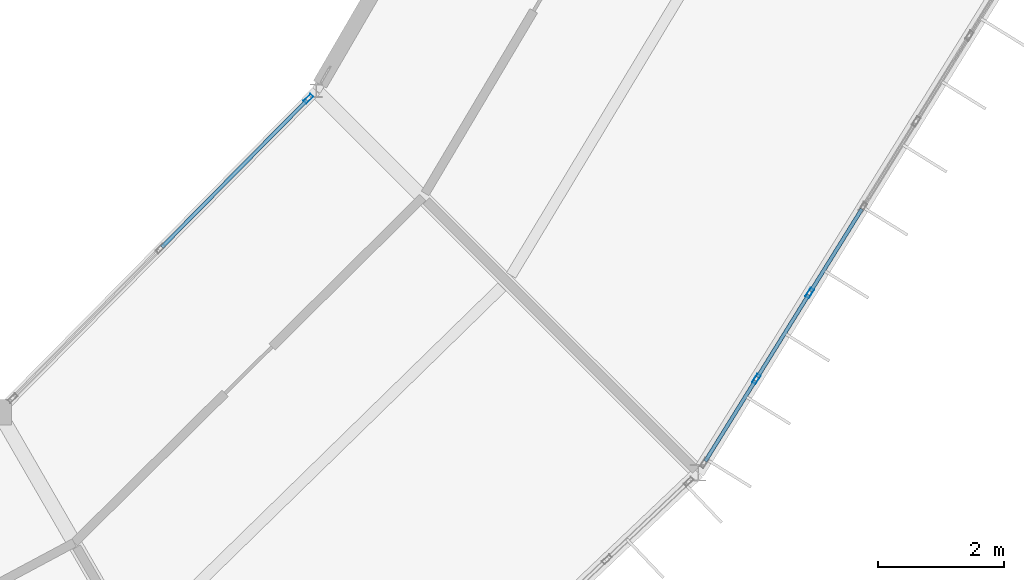
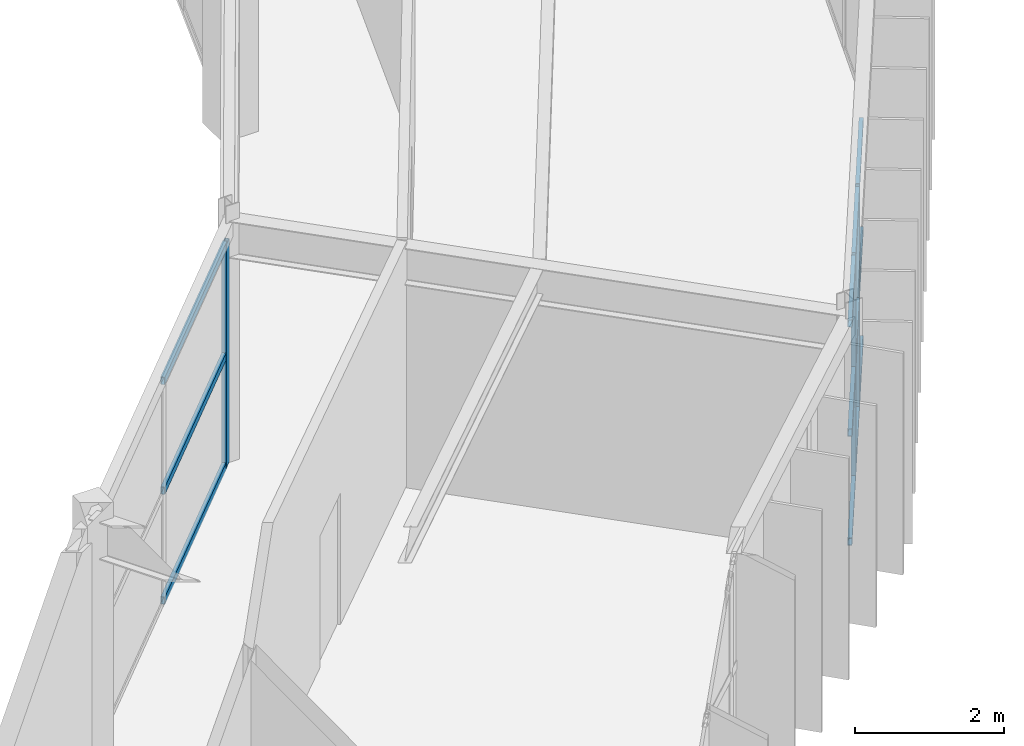
# One storey, part 50 of 134: 15 members, 2 elements without a shape of their own.
"""IFC4 building model written with IfcOpenShell, lengths in metres."""

from ifc_helpers import new_model, si_unit, direction, frame, origin, origin_2d, place, context, subcontext, project, spatial, hollow_rectangle, extrude, material, material_profile, profile_set, type_object, element, aggregate, save


model = new_model("IFC4")

# Units and contexts
model_context = context("Model", 3, precision=1e-05, world=origin(), true_north=direction((0.0, 1.0)))
body_context = subcontext(model_context, "Body", "Model", "MODEL_VIEW")
ifc_project = project(units=[si_unit("LENGTHUNIT", "METRE"), si_unit("AREAUNIT", "SQUARE_METRE"), si_unit("VOLUMEUNIT", "CUBIC_METRE"), si_unit("PLANEANGLEUNIT", "RADIAN"), si_unit("MASSUNIT", "GRAM", prefix="KILO")], contexts=[model_context])

# Site, building, storey
site_placement = place(None, origin())
site = spatial("IfcSite", under=ifc_project, at=site_placement, CompositionType="ELEMENT")
building_placement = place(site_placement, origin())
building = spatial("IfcBuilding", under=site, at=building_placement, Name="Karori Crest Natural Sciences Institute", CompositionType="ELEMENT")
storey_placement = place(building_placement, frame((0.0, 0.0, 21.699951171875)))
storey = spatial("IfcBuildingStorey", under=building, at=storey_placement, Name="L05", CompositionType="ELEMENT", Elevation=21.699951171875)

# Curtain wall, member
ifc_material = material(Name="Anodised architectural aluminium 6063-T6", Category="aluminium")
curtain_wall_type_1 = type_object("IfcCurtainWallType", Name="CWT-11", PredefinedType="NOTDEFINED", material=ifc_material)
curtain_wall_1_placement = place(storey_placement, origin())
curtain_wall_1 = element("IfcCurtainWall", 1, at=curtain_wall_1_placement, inside=storey, type_object=curtain_wall_type_1, Name="Curtain wall CW-0203", PredefinedType="NOTDEFINED")
ifc_material_profile_1 = material_profile(ifc_material, hollow_rectangle(XDim=0.06494140625, YDim=0.159912109375, WallThickness=0.00390625, at=origin_2d()), Name="CWM160x65x4")
ifc_profile_set_1 = profile_set([ifc_material_profile_1], Name="Anodised architectural aluminium 6063-T6")
member_type_1 = type_object("IfcMemberType", Name="CWM-01", PredefinedType="MULLION", material=ifc_profile_set_1)
member_1_placement = place(storey_placement, frame((83.529541015625, 27.005615234375, 0.0), z_axis=(0.0, 0.0, 1.0), x_axis=(-0.711524963942, 0.702660818381, 0.0)))
member_1 = element("IfcMember", 2, at=member_1_placement, type_object=member_type_1, Name="CW-0203 mullion 3", PredefinedType="MULLION", context=body_context, shape_type="SweptSolid", body=[
    extrude(hollow_rectangle(XDim=0.06494140625, YDim=0.159912109375, WallThickness=0.00390625, at=origin_2d()), origin(), (0.0, 0.0, 1.0), 3.650146484375),
])

# Curtain wall, members
curtain_wall_type_2 = type_object("IfcCurtainWallType", Name="CWT-02", PredefinedType="NOTDEFINED", material=ifc_material)
curtain_wall_2_placement = place(storey_placement, origin())
curtain_wall_2 = element("IfcCurtainWall", 3, at=curtain_wall_2_placement, inside=storey, type_object=curtain_wall_type_2, Name="Curtain wall CW-0204", PredefinedType="NOTDEFINED")
member_2_placement = place(storey_placement, frame((91.509765625, 23.910400390625, 0.0), z_axis=(0.0, 0.0, 1.0), x_axis=(0.849664350398, -0.527323896352, 0.0)))
member_2 = element("IfcMember", 4, at=member_2_placement, type_object=member_type_1, Name="CW-0204 mullion 5", PredefinedType="MULLION", context=body_context, shape_type="SweptSolid", body=[
    extrude(hollow_rectangle(XDim=0.06494140625, YDim=0.159912109375, WallThickness=0.00390625, at=origin_2d()), origin(), (0.0, 0.0, 1.0), 3.625),
])
member_3_placement = place(storey_placement, frame((90.661865234375, 22.54443359375, 0.0), z_axis=(0.0, 0.0, 1.0), x_axis=(0.849664350398, -0.527323896352, 0.0)))
member_3 = element("IfcMember", 5, at=member_3_placement, type_object=member_type_1, Name="CW-0204 mullion 6", PredefinedType="MULLION", context=body_context, shape_type="SweptSolid", body=[
    extrude(hollow_rectangle(XDim=0.06494140625, YDim=0.159912109375, WallThickness=0.00390625, at=origin_2d()), origin(), (0.0, 0.0, 1.0), 3.625),
])

# Member
ifc_material_profile_2 = material_profile(ifc_material, hollow_rectangle(XDim=0.06005859375, YDim=0.1201171875, WallThickness=0.00390625, at=origin_2d()), Name="CWT120x60x4")
ifc_profile_set_2 = profile_set([ifc_material_profile_2], Name="Anodised architectural aluminium 6063-T6")
member_type_2 = type_object("IfcMemberType", Name="CWT-TR1", PredefinedType="USERDEFINED", material=ifc_profile_set_2)
member_4_placement = place(storey_placement, frame((81.197021484375, 24.643798828125, 0.030029296875), z_axis=(0.702636271003, 0.711549204673, 0.0), x_axis=(-0.711549204673, 0.702636271003, 0.0)))
member_4 = element("IfcMember", 6, at=member_4_placement, type_object=member_type_2, Name="CW-0203 transom 2.1", ObjectType="TRANSOM", PredefinedType="USERDEFINED", context=body_context, shape_type="SweptSolid", body=[
    extrude(hollow_rectangle(XDim=0.06005859375, YDim=0.1201171875, WallThickness=0.00390625, at=origin_2d()), origin(), (0.0, 0.0, 1.0), 3.287109375),
])

member_5_placement = place(storey_placement, frame((81.197021484375, 24.643798828125, 1.824951171875), z_axis=(0.702636271003, 0.711549204673, 0.0), x_axis=(-0.711549204673, 0.702636271003, 0.0)))
member_5 = element("IfcMember", 7, at=member_5_placement, type_object=member_type_2, Name="CW-0203 transom 2.2", ObjectType="TRANSOM", PredefinedType="USERDEFINED", context=body_context, shape_type="SweptSolid", body=[
    extrude(hollow_rectangle(XDim=0.06005859375, YDim=0.1201171875, WallThickness=0.00390625, at=origin_2d()), origin(), (0.0, 0.0, 1.0), 3.287109375),
])

member_6_placement = place(storey_placement, frame((81.197021484375, 24.643798828125, 3.6201171875), z_axis=(0.702636271003, 0.711549204673, 0.0), x_axis=(-0.711549204673, 0.702636271003, 0.0)))
member_6 = element("IfcMember", 8, at=member_6_placement, type_object=member_type_2, Name="CW-0203 transom 2.3", ObjectType="TRANSOM", PredefinedType="USERDEFINED", context=body_context, shape_type="SweptSolid", body=[
    extrude(hollow_rectangle(XDim=0.06005859375, YDim=0.1201171875, WallThickness=0.00390625, at=origin_2d()), origin(), (0.0, 0.0, 1.0), 3.287109375),
])

aggregate(curtain_wall_1, [member_1, member_4, member_5, member_6])

member_7_placement = place(storey_placement, frame((92.34033203125, 25.248779296875, 0.030029296875), z_axis=(-0.527307708925, -0.849674396524, 0.0), x_axis=(0.849674396524, -0.527307708925, 0.0)))
member_7 = element("IfcMember", 9, at=member_7_placement, type_object=member_type_2, Name="CW-0204 transom 4.1", ObjectType="TRANSOM", PredefinedType="USERDEFINED", context=body_context, shape_type="SweptSolid", body=[
    extrude(hollow_rectangle(XDim=0.06005859375, YDim=0.1201171875, WallThickness=0.00390625, at=origin_2d()), origin(), (0.0, 0.0, 1.0), 1.542724609375),
])

member_8_placement = place(storey_placement, frame((92.34033203125, 25.248779296875, 1.8125), z_axis=(-0.527307708925, -0.849674396524, 0.0), x_axis=(0.849674396524, -0.527307708925, 0.0)))
member_8 = element("IfcMember", 10, at=member_8_placement, type_object=member_type_2, Name="CW-0204 transom 4.2", ObjectType="TRANSOM", PredefinedType="USERDEFINED", context=body_context, shape_type="SweptSolid", body=[
    extrude(hollow_rectangle(XDim=0.06005859375, YDim=0.1201171875, WallThickness=0.00390625, at=origin_2d()), origin(), (0.0, 0.0, 1.0), 1.542724609375),
])

member_9_placement = place(storey_placement, frame((92.34033203125, 25.248779296875, 3.594970703125), z_axis=(-0.527307708925, -0.849674396524, 0.0), x_axis=(0.849674396524, -0.527307708925, 0.0)))
member_9 = element("IfcMember", 11, at=member_9_placement, type_object=member_type_2, Name="CW-0204 transom 4.3", ObjectType="TRANSOM", PredefinedType="USERDEFINED", context=body_context, shape_type="SweptSolid", body=[
    extrude(hollow_rectangle(XDim=0.06005859375, YDim=0.1201171875, WallThickness=0.00390625, at=origin_2d()), origin(), (0.0, 0.0, 1.0), 1.542724609375),
])

member_10_placement = place(storey_placement, frame((91.49267578125, 23.8828125, 0.030029296875), z_axis=(-0.527421946724, -0.849603489937, 0.0), x_axis=(0.849603489937, -0.527421946724, 0.0)))
member_10 = element("IfcMember", 12, at=member_10_placement, type_object=member_type_2, Name="CW-0204 transom 5.1", ObjectType="TRANSOM", PredefinedType="USERDEFINED", context=body_context, shape_type="SweptSolid", body=[
    extrude(hollow_rectangle(XDim=0.06005859375, YDim=0.1201171875, WallThickness=0.00390625, at=origin_2d()), origin(), (0.0, 0.0, 1.0), 1.542724609375),
])

member_11_placement = place(storey_placement, frame((91.49267578125, 23.8828125, 1.8125), z_axis=(-0.527421946724, -0.849603489937, 0.0), x_axis=(0.849603489937, -0.527421946724, 0.0)))
member_11 = element("IfcMember", 13, at=member_11_placement, type_object=member_type_2, Name="CW-0204 transom 5.2", ObjectType="TRANSOM", PredefinedType="USERDEFINED", context=body_context, shape_type="SweptSolid", body=[
    extrude(hollow_rectangle(XDim=0.06005859375, YDim=0.1201171875, WallThickness=0.00390625, at=origin_2d()), origin(), (0.0, 0.0, 1.0), 1.542724609375),
])

member_12_placement = place(storey_placement, frame((91.49267578125, 23.8828125, 3.594970703125), z_axis=(-0.527421946724, -0.849603489937, 0.0), x_axis=(0.849603489937, -0.527421946724, 0.0)))
member_12 = element("IfcMember", 14, at=member_12_placement, type_object=member_type_2, Name="CW-0204 transom 5.3", ObjectType="TRANSOM", PredefinedType="USERDEFINED", context=body_context, shape_type="SweptSolid", body=[
    extrude(hollow_rectangle(XDim=0.06005859375, YDim=0.1201171875, WallThickness=0.00390625, at=origin_2d()), origin(), (0.0, 0.0, 1.0), 1.542724609375),
])

member_13_placement = place(storey_placement, frame((90.644775390625, 22.516845703125, 0.030029296875), z_axis=(-0.52732262058, -0.849665142173, 0.0), x_axis=(0.849665142173, -0.52732262058, 0.0)))
member_13 = element("IfcMember", 15, at=member_13_placement, type_object=member_type_2, Name="CW-0204 transom 6.1", ObjectType="TRANSOM", PredefinedType="USERDEFINED", context=body_context, shape_type="SweptSolid", body=[
    extrude(hollow_rectangle(XDim=0.06005859375, YDim=0.1201171875, WallThickness=0.00390625, at=origin_2d()), origin(), (0.0, 0.0, 1.0), 1.51025390625),
])

member_14_placement = place(storey_placement, frame((90.644775390625, 22.516845703125, 1.8125), z_axis=(-0.52732262058, -0.849665142173, 0.0), x_axis=(0.849665142173, -0.52732262058, 0.0)))
member_14 = element("IfcMember", 16, at=member_14_placement, type_object=member_type_2, Name="CW-0204 transom 6.2", ObjectType="TRANSOM", PredefinedType="USERDEFINED", context=body_context, shape_type="SweptSolid", body=[
    extrude(hollow_rectangle(XDim=0.06005859375, YDim=0.1201171875, WallThickness=0.00390625, at=origin_2d()), origin(), (0.0, 0.0, 1.0), 1.51025390625),
])

member_15_placement = place(storey_placement, frame((90.644775390625, 22.516845703125, 3.594970703125), z_axis=(-0.52732262058, -0.849665142173, 0.0), x_axis=(0.849665142173, -0.52732262058, 0.0)))
member_15 = element("IfcMember", 17, at=member_15_placement, type_object=member_type_2, Name="CW-0204 transom 6.3", ObjectType="TRANSOM", PredefinedType="USERDEFINED", context=body_context, shape_type="SweptSolid", body=[
    extrude(hollow_rectangle(XDim=0.06005859375, YDim=0.1201171875, WallThickness=0.00390625, at=origin_2d()), origin(), (0.0, 0.0, 1.0), 1.51025390625),
])

aggregate(curtain_wall_2, [member_2, member_3, member_7, member_8, member_9, member_10, member_11, member_12, member_13, member_14, member_15])

save(model, "model.ifc")
